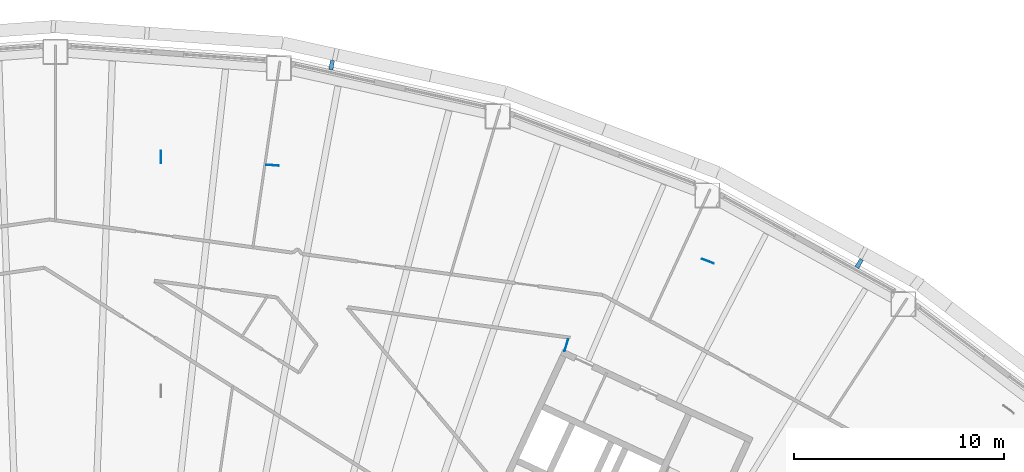
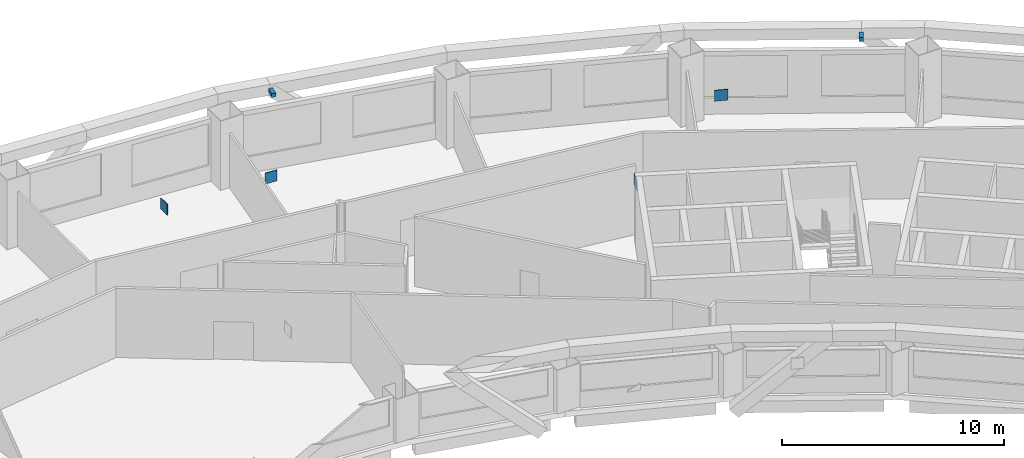
# One storey, part 15 of 19: 6 discrete accessories.
"""IFC4 building model written with IfcOpenShell, lengths in metres."""

from ifc_helpers import new_model, si_unit, direction, frame, origin, origin_2d, place, context, subcontext, project, spatial, rectangle, extrude, material, type_object, element, save


model = new_model("IFC4")

# Units and contexts
model_context = context("Model", 3, precision=1e-05, world=origin(), true_north=direction((0.0, 1.0)))
body_context = subcontext(model_context, "Body", "Model", "MODEL_VIEW")
ifc_project = project(units=[si_unit("LENGTHUNIT", "METRE"), si_unit("AREAUNIT", "SQUARE_METRE"), si_unit("VOLUMEUNIT", "CUBIC_METRE"), si_unit("PLANEANGLEUNIT", "RADIAN"), si_unit("MASSUNIT", "GRAM", prefix="KILO")], contexts=[model_context])

# Site, building, storey
site_placement = place(None, origin())
site = spatial("IfcSite", under=ifc_project, at=site_placement, CompositionType="ELEMENT")
building_placement = place(site_placement, origin())
building = spatial("IfcBuilding", under=site, at=building_placement, Name="Tuul Gate Civic Tower", CompositionType="ELEMENT")
storey_placement = place(building_placement, frame((0.0, 0.0, 90.60009765625)))
storey = spatial("IfcBuildingStorey", under=building, at=storey_placement, Name="Level 20", CompositionType="ELEMENT", Elevation=90.60009765625)

# Discrete accessories
ifc_material_1 = material(Name="Steel S355", Category="steel")
discrete_accessory_type_1 = type_object("IfcDiscreteAccessoryType", Name="Gusset plate", PredefinedType="BRACKET", material=ifc_material_1)
for number, where, z_axis, x_axis, name in (
    (1, (29.1533203125, 4.729248046875, 2.796875), (0.0, 0.0, 1.0), (0.285169103875, 0.958477220488, 0.0), "Gusset plate"),
    (2, (9.830810546875, 13.68798828125, 2.796630859375), (0.0, 0.0, 1.0), (0.0, -1.0, 0.0), "Gusset plate"),
    (3, (35.89892578125, 8.728515625, 2.796630859375), (0.0, 0.0, 1.0), (0.935355774535, -0.353708319162, 0.0), "Gusset plate"),
    (4, (15.153564453125, 13.300537109375, 2.796630859375), (0.0, 0.0, 1.0), (0.997389294483, -0.072212154455, 0.0), "Gusset plate"),
):
    element("IfcDiscreteAccessory", number, at=place(storey_placement, frame(where, z_axis=z_axis, x_axis=x_axis)), inside=storey, type_object=discrete_accessory_type_1, Name=name, PredefinedType="BRACKET", context=body_context, shape_type="SweptSolid", body=[
        extrude(rectangle(XDim=0.60009765625, YDim=0.030029296875, at=origin_2d()), origin(), (0.0, 0.0, 1.0), 0.60009765625),
    ])
ifc_material_2 = material(Name="Stainless steel", Category="steel")
discrete_accessory_type_2 = type_object("IfcDiscreteAccessoryType", Name="Screen bracket", PredefinedType="BRACKET", material=ifc_material_2)
for number, where, z_axis, x_axis, name in (
    (5, (43.107177734375, 8.621826171875, 3.75), (0.0, 0.0, 1.0), (0.514623611888, 0.857416198872, 0.0), "Screen bracket 5"),
    (6, (17.968505859375, 18.073486328125, 3.75), (0.0, 0.0, 1.0), (0.1767875623, 0.984249032418, 0.0), "Screen bracket 8"),
):
    element("IfcDiscreteAccessory", number, at=place(storey_placement, frame(where, z_axis=z_axis, x_axis=x_axis)), inside=storey, type_object=discrete_accessory_type_2, Name=name, PredefinedType="BRACKET", context=body_context, shape_type="SweptSolid", body=[
        extrude(rectangle(XDim=0.4501953125, YDim=0.199951171875, at=origin_2d()), origin(), (0.0, 0.0, 1.0), 0.199951171875),
    ])

save(model, "model.ifc")
